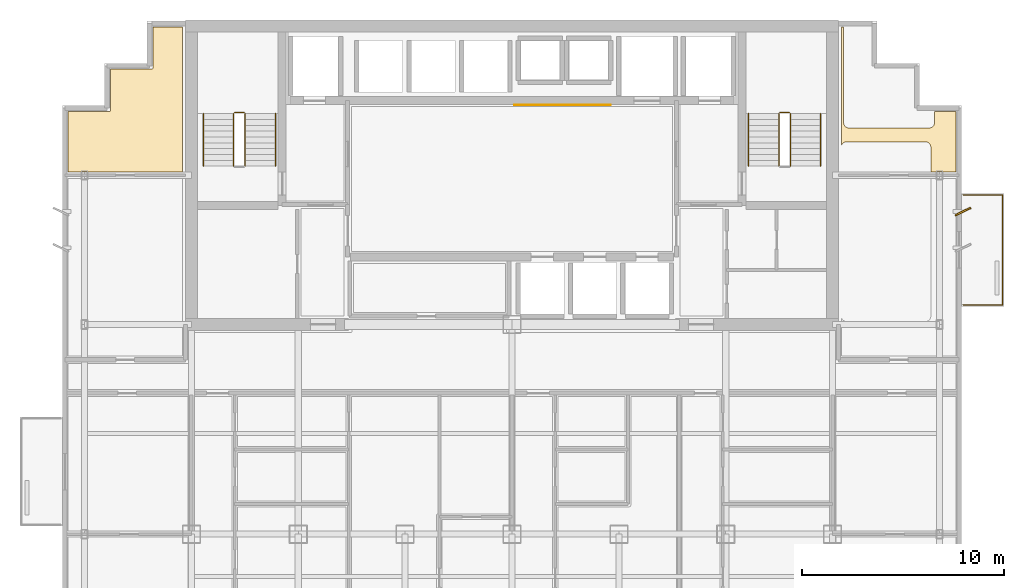
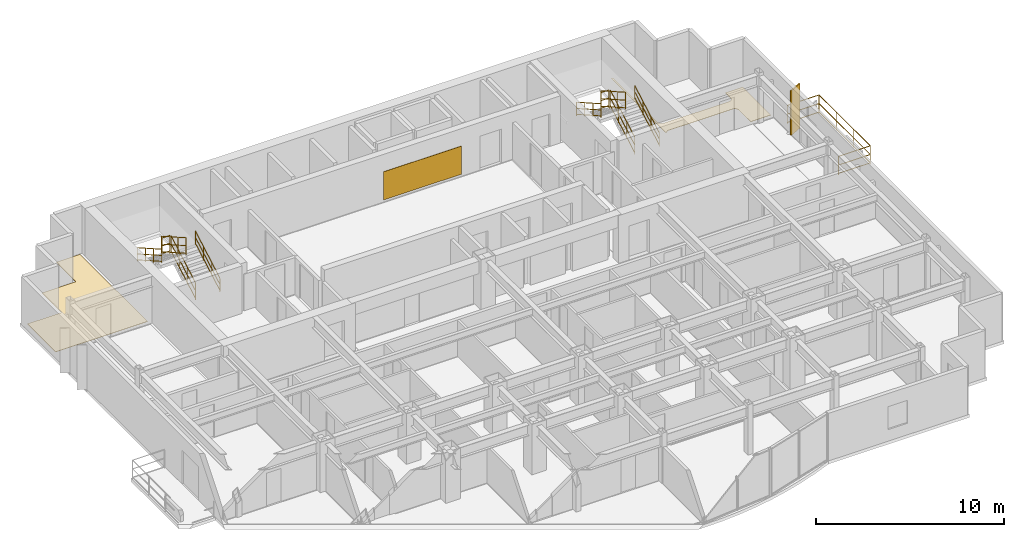
# One storey, part 11 of 11: 11 railings, 3 coverings, 1 shading device.
"""IFC4 building model written with IfcOpenShell, lengths in metres."""

from ifc_helpers import new_model, si_unit, direction, frame, origin, origin_2d, place, context, subcontext, project, spatial, polyline, rectangle, circle, outline, extrude, source, transform, mapped, material, layer, layer_set, type_object, element, save


model = new_model("IFC4")

# Units and contexts
model_context = context("Model", 3, precision=1e-05, world=origin(), true_north=direction((0.0, 1.0)))
body_context = subcontext(model_context, "Body", "Model", "MODEL_VIEW")
ifc_project = project(units=[si_unit("LENGTHUNIT", "METRE"), si_unit("AREAUNIT", "SQUARE_METRE"), si_unit("VOLUMEUNIT", "CUBIC_METRE"), si_unit("PLANEANGLEUNIT", "RADIAN"), si_unit("MASSUNIT", "GRAM", prefix="KILO")], contexts=[model_context])

# Site, building, storey
site_placement = place(None, origin())
site = spatial("IfcSite", under=ifc_project, at=site_placement, CompositionType="ELEMENT")
building_placement = place(site_placement, origin())
building = spatial("IfcBuilding", under=site, at=building_placement, Name="Qianlan Lanfeng Residences", CompositionType="ELEMENT")
storey_placement = place(building_placement, frame((0.0, 0.0, 152.39990234375)))
storey = spatial("IfcBuildingStorey", under=building, at=storey_placement, Name="L41", CompositionType="ELEMENT", Elevation=152.39990234375)

# Coverings
ifc_material_1 = material(Name="Anodised Bronze Feature Wall Cladding")
ifc_layer_1 = layer(ifc_material_1, 0.02490234375)
ifc_layer_set_1 = layer_set([ifc_layer_1], Name="Anodised Bronze Feature Wall Cladding")
covering_type_1 = type_object("IfcCoveringType", Name="CLD-BRZ-25", PredefinedType="CLADDING", material=ifc_layer_set_1)
covering_1_placement = place(storey_placement, frame((0.0, 0.0, 0.150146484375)))
element("IfcCovering", 1, at=covering_1_placement, inside=storey, type_object=covering_type_1, Name="L41 Lift Lobby Bronze Feature Cladding", PredefinedType="CLADDING", context=body_context, shape_type="SweptSolid", body=[
    extrude(outline(polyline([(26.60009765625, 36.074951171875), (31.39990234375, 36.074951171875), (31.39990234375, 36.10009765625), (26.60009765625, 36.10009765625), (26.60009765625, 36.074951171875)])), origin(), (0.0, 0.0, 1.0), 1.829833984375),
])
ifc_material_2 = material(Name="Engineered Smoked Oak Timber Flooring", Category="wood")
ifc_layer_2 = layer(ifc_material_2, 0.02197265625)
ifc_layer_set_2 = layer_set([ifc_layer_2], Name="Engineered Smoked Oak Timber Flooring")
covering_type_2 = type_object("IfcCoveringType", Name="FLR-TIM-22", PredefinedType="FLOORING", material=ifc_layer_set_2)
covering_2_placement = place(storey_placement, origin())
element("IfcCovering", 2, at=covering_2_placement, inside=storey, type_object=covering_type_2, Name="L41 Resident Lounge Floor Finish", PredefinedType="FLOORING", context=body_context, shape_type="SweptSolid", body=[
    extrude(outline(polyline([(4.489990234375, 32.75), (10.14990234375, 32.75), (10.14990234375, 39.9599609375), (8.68994140625, 39.9599609375), (8.68994140625, 37.929931640625), (8.68994140625, 37.923095703125), (8.68896484375, 37.916015625), (8.68701171875, 37.909912109375), (8.68505859375, 37.903076171875), (8.681884765625, 37.89697265625), (8.677978515625, 37.89111328125), (8.674072265625, 37.885986328125), (8.6689453125, 37.881103515625), (8.6640625, 37.8759765625), (8.658935546875, 37.8720703125), (8.653076171875, 37.867919921875), (8.64697265625, 37.864990234375), (8.639892578125, 37.863037109375), (8.634033203125, 37.861083984375), (8.626953125, 37.860107421875), (8.6201171875, 37.860107421875), (6.590087890625, 37.860107421875), (6.590087890625, 35.830078125), (6.590087890625, 35.822998046875), (6.589111328125, 35.81591796875), (6.5869140625, 35.81005859375), (6.5849609375, 35.802978515625), (6.58203125, 35.797119140625), (6.577880859375, 35.791015625), (6.573974609375, 35.785888671875), (6.569091796875, 35.781005859375), (6.56396484375, 35.77587890625), (6.55908203125, 35.77197265625), (6.552978515625, 35.76806640625), (6.547119140625, 35.764892578125), (6.5400390625, 35.762939453125), (6.533935546875, 35.760986328125), (6.527099609375, 35.760009765625), (6.52001953125, 35.760009765625), (4.489990234375, 35.760009765625), (4.489990234375, 32.75)])), origin(), (0.0, 0.0, 1.0), 0.022216796875),
])
covering_3_placement = place(storey_placement, origin())
element("IfcCovering", 3, at=covering_3_placement, inside=storey, type_object=covering_type_2, Name="L41 Resident Lounge Floor Finish", PredefinedType="FLOORING", context=body_context, shape_type="SweptSolid", body=[
    extrude(outline(polyline([(42.85009765625, 34.097900390625), (42.860107421875, 34.117919921875), (42.8720703125, 34.138916015625), (42.886962890625, 34.158935546875), (42.903076171875, 34.177001953125), (42.9208984375, 34.193115234375), (42.94091796875, 34.2080078125), (42.9619140625, 34.219970703125), (42.98388671875, 34.23095703125), (43.007080078125, 34.239013671875), (43.031005859375, 34.2451171875), (43.054931640625, 34.2490234375), (43.080078125, 34.25), (47.02001953125, 34.25), (47.044921875, 34.2490234375), (47.069091796875, 34.2451171875), (47.093017578125, 34.239013671875), (47.115966796875, 34.23095703125), (47.137939453125, 34.219970703125), (47.158935546875, 34.2080078125), (47.178955078125, 34.193115234375), (47.197021484375, 34.177001953125), (47.212890625, 34.158935546875), (47.22802734375, 34.138916015625), (47.239990234375, 34.117919921875), (47.2509765625, 34.095947265625), (47.259033203125, 34.072998046875), (47.264892578125, 34.049072265625), (47.26904296875, 34.02490234375), (47.27001953125, 34.0), (47.27001953125, 32.75), (48.510009765625, 32.75), (48.510009765625, 35.760009765625), (47.449951171875, 35.760009765625), (47.449951171875, 35.199951171875), (47.448974609375, 35.175048828125), (47.445068359375, 35.15087890625), (47.43896484375, 35.126953125), (47.430908203125, 35.10400390625), (47.419921875, 35.08203125), (47.407958984375, 35.06103515625), (47.39306640625, 35.041015625), (47.376953125, 35.02294921875), (47.35888671875, 35.007080078125), (47.339111328125, 34.991943359375), (47.318115234375, 34.97998046875), (47.2958984375, 34.968994140625), (47.27294921875, 34.9609375), (47.2490234375, 34.955078125), (47.22509765625, 34.950927734375), (47.199951171875, 34.949951171875), (43.199951171875, 34.949951171875), (43.175048828125, 34.950927734375), (43.15087890625, 34.955078125), (43.126953125, 34.9609375), (43.10400390625, 34.968994140625), (43.08203125, 34.97998046875), (43.06103515625, 34.991943359375), (43.041015625, 35.007080078125), (43.02294921875, 35.02294921875), (43.007080078125, 35.041015625), (42.991943359375, 35.06103515625), (42.97998046875, 35.08203125), (42.968994140625, 35.10400390625), (42.9609375, 35.126953125), (42.955078125, 35.15087890625), (42.950927734375, 35.175048828125), (42.949951171875, 35.199951171875), (42.949951171875, 39.9599609375), (42.85009765625, 39.9599609375), (42.85009765625, 34.097900390625)])), origin(), (0.0, 0.0, 1.0), 0.022216796875),
])

# Railings
ifc_material_3 = material(Name="Anodised Bronze Aluminium and Laminated Glass Guard Balustrade", Category="aluminium")
railing_type_1 = type_object("IfcRailingType", Name="GR-EXT-1220", PredefinedType="BALUSTRADE", material=ifc_material_3)
railing_1_placement = place(storey_placement, frame((48.8701171875, 31.6298828125, 0.0)))
element("IfcRailing", 4, at=railing_1_placement, inside=storey, type_object=railing_type_1, Name="L41 Terrace Safety Guard GR-L41-EB-N", PredefinedType="BALUSTRADE", context=body_context, shape_type="SweptSolid", body=[
    extrude(circle(Radius=0.02490234375, at=origin_2d()), frame((0.0, 0.0, 0.0849609375), z_axis=(1.0, 0.0, 0.0), x_axis=(0.0, 1.0, 0.0)), (0.0, 0.0, 1.0), 1.9599609375),
    extrude(circle(Radius=0.02490234375, at=origin_2d()), frame((0.0, 0.0, 0.63427734375), z_axis=(1.0, 0.0, 0.0), x_axis=(0.0, 1.0, 0.0)), (0.0, 0.0, 1.0), 1.9599609375),
    extrude(circle(Radius=0.02490234375, at=origin_2d()), frame((0.0, 0.0, 1.19482421875), z_axis=(1.0, 0.0, 0.0), x_axis=(0.0, 1.0, 0.0)), (0.0, 0.0, 1.0), 1.9599609375),
    extrude(circle(Radius=0.02490234375, at=origin_2d()), frame((1.9599609375, 0.0, 0.0849609375), z_axis=(0.0, -1.0, 0.0), x_axis=(1.0, 0.0, 0.0)), (0.0, 0.0, 1.0), 5.4599609375),
    extrude(circle(Radius=0.02490234375, at=origin_2d()), frame((1.9599609375, 0.0, 0.63427734375), z_axis=(0.0, -1.0, 0.0), x_axis=(1.0, 0.0, 0.0)), (0.0, 0.0, 1.0), 5.4599609375),
    extrude(circle(Radius=0.02490234375, at=origin_2d()), frame((1.9599609375, 0.0, 1.19482421875), z_axis=(0.0, -1.0, 0.0), x_axis=(1.0, 0.0, 0.0)), (0.0, 0.0, 1.0), 5.4599609375),
    extrude(circle(Radius=0.02490234375, at=origin_2d()), frame((1.9599609375, -5.4599609375, 0.0849609375), z_axis=(-1.0, 0.0, 0.0), x_axis=(0.0, -1.0, 0.0)), (0.0, 0.0, 1.0), 1.9599609375),
    extrude(circle(Radius=0.02490234375, at=origin_2d()), frame((1.9599609375, -5.4599609375, 0.63427734375), z_axis=(-1.0, 0.0, 0.0), x_axis=(0.0, -1.0, 0.0)), (0.0, 0.0, 1.0), 1.9599609375),
    extrude(circle(Radius=0.02490234375, at=origin_2d()), frame((1.9599609375, -5.4599609375, 1.19482421875), z_axis=(-1.0, 0.0, 0.0), x_axis=(0.0, -1.0, 0.0)), (0.0, 0.0, 1.0), 1.9599609375),
    extrude(circle(Radius=0.02099609375, at=origin_2d()), origin(), (0.0, 0.0, 1.0), 1.169921875),
    extrude(circle(Radius=0.02099609375, at=origin_2d()), frame((1.9599609375, 0.0, 0.0)), (0.0, 0.0, 1.0), 1.169921875),
    extrude(circle(Radius=0.02099609375, at=origin_2d()), frame((1.9599609375, -1.820068359375, 0.0)), (0.0, 0.0, 1.0), 1.169921875),
    extrude(circle(Radius=0.02099609375, at=origin_2d()), frame((1.9599609375, -3.639892578125, 0.0)), (0.0, 0.0, 1.0), 1.169921875),
    extrude(circle(Radius=0.02099609375, at=origin_2d()), frame((1.9599609375, -5.4599609375, 0.0)), (0.0, 0.0, 1.0), 1.169921875),
    extrude(circle(Radius=0.02099609375, at=origin_2d()), frame((0.0, -5.4599609375, 0.0)), (0.0, 0.0, 1.0), 1.169921875),
])
ifc_material_4 = material(Name="Painted Galvanised Steel Guardrail", Category="steel")
railing_type_2 = type_object("IfcRailingType", Name="GR-ST-1120", PredefinedType="GUARDRAIL", material=ifc_material_4)
railing_2_placement = place(storey_placement, frame((13.27001953125, 33.050048828125, 0.1650390625)))
element("IfcRailing", 5, at=railing_2_placement, inside=storey, type_object=railing_type_2, Name="L41 ST-1 stair guard 1", PredefinedType="GUARDRAIL", context=body_context, shape_type="SweptSolid", body=[
    extrude(circle(Radius=0.02392578125, at=origin_2d()), frame((0.0, 0.0, 0.083984375), z_axis=(0.0, 0.869137319866, 0.494570843475), x_axis=(-1.0, 0.0, 0.0)), (0.0, 0.0, 1.0), 3.0029296875),
    extrude(circle(Radius=0.02392578125, at=origin_2d()), frame((0.0, 0.0, 0.58251953125), z_axis=(0.0, 0.869137319866, 0.494570843475), x_axis=(-1.0, 0.0, 0.0)), (0.0, 0.0, 1.0), 3.0029296875),
    extrude(circle(Radius=0.02392578125, at=origin_2d()), frame((0.0, 0.0, 1.09619140625), z_axis=(0.0, 0.869137319866, 0.494570843475), x_axis=(-1.0, 0.0, 0.0)), (0.0, 0.0, 1.0), 3.0029296875),
    extrude(circle(Radius=0.02099609375, at=origin_2d()), origin(), (0.0, 0.0, 1.0), 1.072021484375),
    extrude(circle(Radius=0.02099609375, at=origin_2d()), frame((0.0, 0.869873046875, 0.4951171875)), (0.0, 0.0, 1.0), 1.072021484375),
    extrude(circle(Radius=0.02099609375, at=origin_2d()), frame((0.0, 1.739990234375, 0.989990234375)), (0.0, 0.0, 1.0), 1.072021484375),
    extrude(circle(Radius=0.02099609375, at=origin_2d()), frame((0.0, 2.60986328125, 1.485107421875)), (0.0, 0.0, 1.0), 1.072021484375),
])
railing_3_placement = place(storey_placement, frame((13.219970703125, 35.7099609375, 1.650146484375)))
element("IfcRailing", 6, at=railing_3_placement, inside=storey, type_object=railing_type_2, Name="L41 ST-1 stair guard 2", PredefinedType="GUARDRAIL", context=body_context, shape_type="SweptSolid", body=[
    extrude(circle(Radius=0.02392578125, at=origin_2d()), frame((0.0, 0.0, 0.083984375), z_axis=(-1.0, 0.0, 0.0), x_axis=(0.0, -1.0, 0.0)), (0.0, 0.0, 1.0), 0.47998046875),
    extrude(circle(Radius=0.02392578125, at=origin_2d()), frame((0.0, 0.0, 0.58251953125), z_axis=(-1.0, 0.0, 0.0), x_axis=(0.0, -1.0, 0.0)), (0.0, 0.0, 1.0), 0.47998046875),
    extrude(circle(Radius=0.02392578125, at=origin_2d()), frame((0.0, 0.0, 1.09619140625), z_axis=(-1.0, 0.0, 0.0), x_axis=(0.0, -1.0, 0.0)), (0.0, 0.0, 1.0), 0.47998046875),
    extrude(circle(Radius=0.02099609375, at=origin_2d()), origin(), (0.0, 0.0, 1.0), 1.072021484375),
    extrude(circle(Radius=0.02099609375, at=origin_2d()), frame((-0.47998046875, 0.0, 0.0)), (0.0, 0.0, 1.0), 1.072021484375),
])
railing_4_placement = place(storey_placement, frame((12.68994140625, 35.659912109375, 1.815185546875)))
element("IfcRailing", 7, at=railing_4_placement, inside=storey, type_object=railing_type_2, Name="L41 ST-1 stair guard 3", PredefinedType="GUARDRAIL", context=body_context, shape_type="SweptSolid", body=[
    extrude(circle(Radius=0.02392578125, at=origin_2d()), frame((0.0, 0.0, 0.083984375), z_axis=(0.0, -0.869172267526, 0.494509422927), x_axis=(1.0, 0.0, 0.0)), (0.0, 0.0, 1.0), 3.002685546875),
    extrude(circle(Radius=0.02392578125, at=origin_2d()), frame((0.0, 0.0, 0.58251953125), z_axis=(0.0, -0.869172267526, 0.494509422927), x_axis=(1.0, 0.0, 0.0)), (0.0, 0.0, 1.0), 3.002685546875),
    extrude(circle(Radius=0.02392578125, at=origin_2d()), frame((0.0, 0.0, 1.09619140625), z_axis=(0.0, -0.869172267526, 0.494509422927), x_axis=(1.0, 0.0, 0.0)), (0.0, 0.0, 1.0), 3.002685546875),
    extrude(circle(Radius=0.02099609375, at=origin_2d()), origin(), (0.0, 0.0, 1.0), 1.072021484375),
    extrude(circle(Radius=0.02099609375, at=origin_2d()), frame((0.0, -0.869873046875, 0.494873046875)), (0.0, 0.0, 1.0), 1.072021484375),
    extrude(circle(Radius=0.02099609375, at=origin_2d()), frame((0.0, -1.739990234375, 0.989990234375)), (0.0, 0.0, 1.0), 1.072021484375),
    extrude(circle(Radius=0.02099609375, at=origin_2d()), frame((0.0, -2.60986328125, 1.48486328125)), (0.0, 0.0, 1.0), 1.072021484375),
])
railing_5_placement = place(storey_placement, frame((40.31005859375, 33.050048828125, 0.1650390625)))
element("IfcRailing", 8, at=railing_5_placement, inside=storey, type_object=railing_type_2, Name="L41 ST-2 stair guard 1", PredefinedType="GUARDRAIL", context=body_context, shape_type="SweptSolid", body=[
    extrude(circle(Radius=0.02392578125, at=origin_2d()), frame((0.0, 0.0, 0.083984375), z_axis=(0.0, 0.869137319866, 0.494570843475), x_axis=(-1.0, 0.0, 0.0)), (0.0, 0.0, 1.0), 3.0029296875),
    extrude(circle(Radius=0.02392578125, at=origin_2d()), frame((0.0, 0.0, 0.58251953125), z_axis=(0.0, 0.869137319866, 0.494570843475), x_axis=(-1.0, 0.0, 0.0)), (0.0, 0.0, 1.0), 3.0029296875),
    extrude(circle(Radius=0.02392578125, at=origin_2d()), frame((0.0, 0.0, 1.09619140625), z_axis=(0.0, 0.869137319866, 0.494570843475), x_axis=(-1.0, 0.0, 0.0)), (0.0, 0.0, 1.0), 3.0029296875),
    extrude(circle(Radius=0.02099609375, at=origin_2d()), origin(), (0.0, 0.0, 1.0), 1.072021484375),
    extrude(circle(Radius=0.02099609375, at=origin_2d()), frame((0.0, 0.869873046875, 0.4951171875)), (0.0, 0.0, 1.0), 1.072021484375),
    extrude(circle(Radius=0.02099609375, at=origin_2d()), frame((0.0, 1.739990234375, 0.989990234375)), (0.0, 0.0, 1.0), 1.072021484375),
    extrude(circle(Radius=0.02099609375, at=origin_2d()), frame((0.0, 2.60986328125, 1.485107421875)), (0.0, 0.0, 1.0), 1.072021484375),
])
railing_6_placement = place(storey_placement, frame((40.260009765625, 35.7099609375, 1.650146484375)))
element("IfcRailing", 9, at=railing_6_placement, inside=storey, type_object=railing_type_2, Name="L41 ST-2 stair guard 2", PredefinedType="GUARDRAIL", context=body_context, shape_type="SweptSolid", body=[
    extrude(circle(Radius=0.02392578125, at=origin_2d()), frame((0.0, 0.0, 0.083984375), z_axis=(-1.0, 0.0, 0.0), x_axis=(0.0, -1.0, 0.0)), (0.0, 0.0, 1.0), 0.47998046875),
    extrude(circle(Radius=0.02392578125, at=origin_2d()), frame((0.0, 0.0, 0.58251953125), z_axis=(-1.0, 0.0, 0.0), x_axis=(0.0, -1.0, 0.0)), (0.0, 0.0, 1.0), 0.47998046875),
    extrude(circle(Radius=0.02392578125, at=origin_2d()), frame((0.0, 0.0, 1.09619140625), z_axis=(-1.0, 0.0, 0.0), x_axis=(0.0, -1.0, 0.0)), (0.0, 0.0, 1.0), 0.47998046875),
    extrude(circle(Radius=0.02099609375, at=origin_2d()), origin(), (0.0, 0.0, 1.0), 1.072021484375),
    extrude(circle(Radius=0.02099609375, at=origin_2d()), frame((-0.47998046875, 0.0, 0.0)), (0.0, 0.0, 1.0), 1.072021484375),
])
railing_7_placement = place(storey_placement, frame((39.72998046875, 35.659912109375, 1.815185546875)))
element("IfcRailing", 10, at=railing_7_placement, inside=storey, type_object=railing_type_2, Name="L41 ST-2 stair guard 3", PredefinedType="GUARDRAIL", context=body_context, shape_type="SweptSolid", body=[
    extrude(circle(Radius=0.02392578125, at=origin_2d()), frame((0.0, 0.0, 0.083984375), z_axis=(0.0, -0.869172267526, 0.494509422927), x_axis=(1.0, 0.0, 0.0)), (0.0, 0.0, 1.0), 3.002685546875),
    extrude(circle(Radius=0.02392578125, at=origin_2d()), frame((0.0, 0.0, 0.58251953125), z_axis=(0.0, -0.869172267526, 0.494509422927), x_axis=(1.0, 0.0, 0.0)), (0.0, 0.0, 1.0), 3.002685546875),
    extrude(circle(Radius=0.02392578125, at=origin_2d()), frame((0.0, 0.0, 1.09619140625), z_axis=(0.0, -0.869172267526, 0.494509422927), x_axis=(1.0, 0.0, 0.0)), (0.0, 0.0, 1.0), 3.002685546875),
    extrude(circle(Radius=0.02099609375, at=origin_2d()), origin(), (0.0, 0.0, 1.0), 1.072021484375),
    extrude(circle(Radius=0.02099609375, at=origin_2d()), frame((0.0, -0.869873046875, 0.494873046875)), (0.0, 0.0, 1.0), 1.072021484375),
    extrude(circle(Radius=0.02099609375, at=origin_2d()), frame((0.0, -1.739990234375, 0.989990234375)), (0.0, 0.0, 1.0), 1.072021484375),
    extrude(circle(Radius=0.02099609375, at=origin_2d()), frame((0.0, -2.60986328125, 1.48486328125)), (0.0, 0.0, 1.0), 1.072021484375),
])
ifc_material_5 = material(Name="Brushed Stainless Steel Handrail", Category="steel")
railing_type_3 = type_object("IfcRailingType", Name="HR-ST-920", PredefinedType="HANDRAIL", material=ifc_material_5)
railing_8_placement = place(storey_placement, frame((14.77001953125, 33.050048828125, 0.1650390625)))
element("IfcRailing", 11, at=railing_8_placement, inside=storey, type_object=railing_type_3, Name="L41 ST-1 stair handrail 1", PredefinedType="HANDRAIL", context=body_context, shape_type="SweptSolid", body=[
    extrude(circle(Radius=0.02392578125, at=origin_2d()), frame((0.0, 0.0, 0.083984375), z_axis=(0.0, 0.869137319866, 0.494570843475), x_axis=(-1.0, 0.0, 0.0)), (0.0, 0.0, 1.0), 3.0029296875),
    extrude(circle(Radius=0.02392578125, at=origin_2d()), frame((0.0, 0.0, 0.468017578125), z_axis=(0.0, 0.869137319866, 0.494570843475), x_axis=(-1.0, 0.0, 0.0)), (0.0, 0.0, 1.0), 3.0029296875),
    extrude(circle(Radius=0.02392578125, at=origin_2d()), frame((0.0, 0.0, 0.8759765625), z_axis=(0.0, 0.869137319866, 0.494570843475), x_axis=(-1.0, 0.0, 0.0)), (0.0, 0.0, 1.0), 3.0029296875),
    extrude(circle(Radius=0.02099609375, at=origin_2d()), origin(), (0.0, 0.0, 1.0), 0.851806640625),
    extrude(circle(Radius=0.02099609375, at=origin_2d()), frame((0.0, 0.869873046875, 0.4951171875)), (0.0, 0.0, 1.0), 0.851806640625),
    extrude(circle(Radius=0.02099609375, at=origin_2d()), frame((0.0, 1.739990234375, 0.989990234375)), (0.0, 0.0, 1.0), 0.851806640625),
    extrude(circle(Radius=0.02099609375, at=origin_2d()), frame((0.0, 2.60986328125, 1.485107421875)), (0.0, 0.0, 1.0), 0.851806640625),
])
railing_9_placement = place(storey_placement, frame((11.18994140625, 35.659912109375, 1.815185546875)))
element("IfcRailing", 12, at=railing_9_placement, inside=storey, type_object=railing_type_3, Name="L41 ST-1 stair handrail 2", PredefinedType="HANDRAIL", context=body_context, shape_type="SweptSolid", body=[
    extrude(circle(Radius=0.02392578125, at=origin_2d()), frame((0.0, 0.0, 0.083984375), z_axis=(0.0, -0.869172267526, 0.494509422927), x_axis=(1.0, 0.0, 0.0)), (0.0, 0.0, 1.0), 3.002685546875),
    extrude(circle(Radius=0.02392578125, at=origin_2d()), frame((0.0, 0.0, 0.468017578125), z_axis=(0.0, -0.869172267526, 0.494509422927), x_axis=(1.0, 0.0, 0.0)), (0.0, 0.0, 1.0), 3.002685546875),
    extrude(circle(Radius=0.02392578125, at=origin_2d()), frame((0.0, 0.0, 0.8759765625), z_axis=(0.0, -0.869172267526, 0.494509422927), x_axis=(1.0, 0.0, 0.0)), (0.0, 0.0, 1.0), 3.002685546875),
    extrude(circle(Radius=0.02099609375, at=origin_2d()), origin(), (0.0, 0.0, 1.0), 0.851806640625),
    extrude(circle(Radius=0.02099609375, at=origin_2d()), frame((0.0, -0.869873046875, 0.494873046875)), (0.0, 0.0, 1.0), 0.851806640625),
    extrude(circle(Radius=0.02099609375, at=origin_2d()), frame((0.0, -1.739990234375, 0.989990234375)), (0.0, 0.0, 1.0), 0.851806640625),
    extrude(circle(Radius=0.02099609375, at=origin_2d()), frame((0.0, -2.60986328125, 1.48486328125)), (0.0, 0.0, 1.0), 0.851806640625),
])
railing_10_placement = place(storey_placement, frame((41.81005859375, 33.050048828125, 0.1650390625)))
element("IfcRailing", 13, at=railing_10_placement, inside=storey, type_object=railing_type_3, Name="L41 ST-2 stair handrail 1", PredefinedType="HANDRAIL", context=body_context, shape_type="SweptSolid", body=[
    extrude(circle(Radius=0.02392578125, at=origin_2d()), frame((0.0, 0.0, 0.083984375), z_axis=(0.0, 0.869137319866, 0.494570843475), x_axis=(-1.0, 0.0, 0.0)), (0.0, 0.0, 1.0), 3.0029296875),
    extrude(circle(Radius=0.02392578125, at=origin_2d()), frame((0.0, 0.0, 0.468017578125), z_axis=(0.0, 0.869137319866, 0.494570843475), x_axis=(-1.0, 0.0, 0.0)), (0.0, 0.0, 1.0), 3.0029296875),
    extrude(circle(Radius=0.02392578125, at=origin_2d()), frame((0.0, 0.0, 0.8759765625), z_axis=(0.0, 0.869137319866, 0.494570843475), x_axis=(-1.0, 0.0, 0.0)), (0.0, 0.0, 1.0), 3.0029296875),
    extrude(circle(Radius=0.02099609375, at=origin_2d()), origin(), (0.0, 0.0, 1.0), 0.851806640625),
    extrude(circle(Radius=0.02099609375, at=origin_2d()), frame((0.0, 0.869873046875, 0.4951171875)), (0.0, 0.0, 1.0), 0.851806640625),
    extrude(circle(Radius=0.02099609375, at=origin_2d()), frame((0.0, 1.739990234375, 0.989990234375)), (0.0, 0.0, 1.0), 0.851806640625),
    extrude(circle(Radius=0.02099609375, at=origin_2d()), frame((0.0, 2.60986328125, 1.485107421875)), (0.0, 0.0, 1.0), 0.851806640625),
])
railing_11_placement = place(storey_placement, frame((38.22998046875, 35.659912109375, 1.815185546875)))
element("IfcRailing", 14, at=railing_11_placement, inside=storey, type_object=railing_type_3, Name="L41 ST-2 stair handrail 2", PredefinedType="HANDRAIL", context=body_context, shape_type="SweptSolid", body=[
    extrude(circle(Radius=0.02392578125, at=origin_2d()), frame((0.0, 0.0, 0.083984375), z_axis=(0.0, -0.869172267526, 0.494509422927), x_axis=(1.0, 0.0, 0.0)), (0.0, 0.0, 1.0), 3.002685546875),
    extrude(circle(Radius=0.02392578125, at=origin_2d()), frame((0.0, 0.0, 0.468017578125), z_axis=(0.0, -0.869172267526, 0.494509422927), x_axis=(1.0, 0.0, 0.0)), (0.0, 0.0, 1.0), 3.002685546875),
    extrude(circle(Radius=0.02392578125, at=origin_2d()), frame((0.0, 0.0, 0.8759765625), z_axis=(0.0, -0.869172267526, 0.494509422927), x_axis=(1.0, 0.0, 0.0)), (0.0, 0.0, 1.0), 3.002685546875),
    extrude(circle(Radius=0.02099609375, at=origin_2d()), origin(), (0.0, 0.0, 1.0), 0.851806640625),
    extrude(circle(Radius=0.02099609375, at=origin_2d()), frame((0.0, -0.869873046875, 0.494873046875)), (0.0, 0.0, 1.0), 0.851806640625),
    extrude(circle(Radius=0.02099609375, at=origin_2d()), frame((0.0, -1.739990234375, 0.989990234375)), (0.0, 0.0, 1.0), 0.851806640625),
    extrude(circle(Radius=0.02099609375, at=origin_2d()), frame((0.0, -2.60986328125, 1.48486328125)), (0.0, 0.0, 1.0), 0.851806640625),
])

# Shading device
ifc_material_6 = material(Name="Anodised Bronze Aluminium Solar Fin", Category="aluminium")
shading_device_type = type_object("IfcShadingDeviceType", Name="FIN-BRZ-850", PredefinedType="SHUTTER", material=ifc_material_6)
shared_shape = source(origin(), body_context, "Body", "SweptSolid", [
    extrude(rectangle(XDim=0.85009765625, YDim=0.080078125, at=origin_2d()), origin(), (0.0, 0.0, 1.0), 2.89990234375),
])
shading_device_placement = place(storey_placement, frame((48.8701171875, 30.800048828125, 0.000244140625), z_axis=(0.0, 0.0, 1.0), x_axis=(0.898794046299, 0.438371146789, 0.0)))
element("IfcShadingDevice", 15, at=shading_device_placement, inside=storey, type_object=shading_device_type, Name="L41 Raked Bronze Solar Fin E2", PredefinedType="SHUTTER", context=body_context, shape_type="MappedRepresentation", body=[
    mapped(shared_shape, transform((0.0, 0.0, 0.0), scale=1.0)),
])

save(model, "model.ifc")
